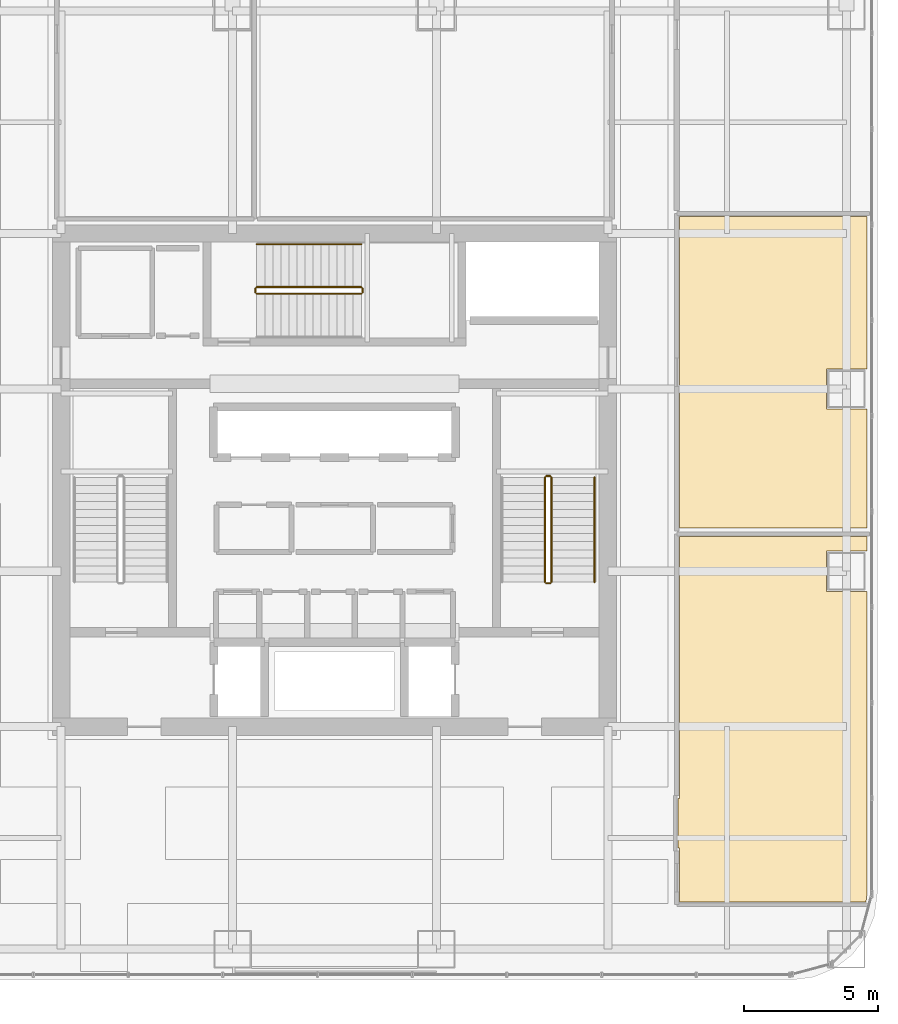
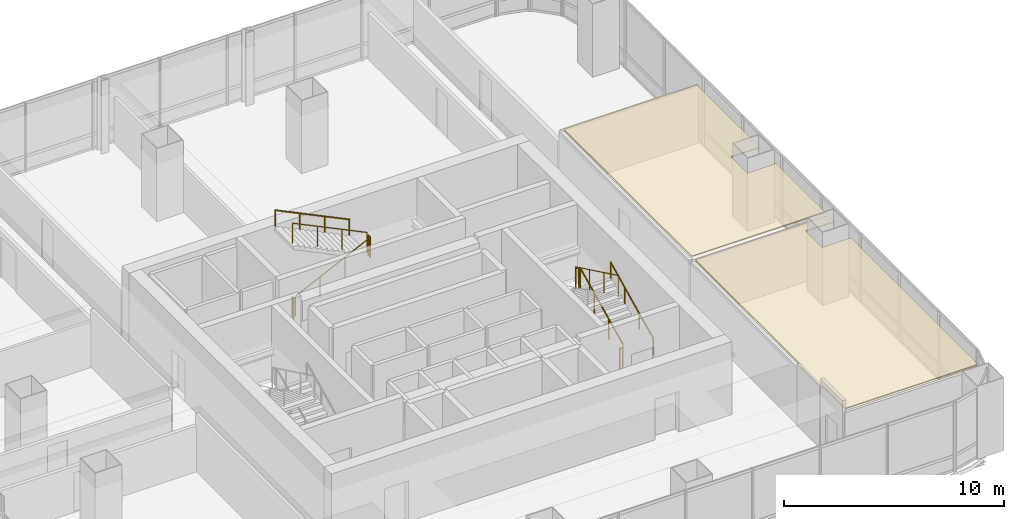
# One storey, part 37 of 38: 10 railings, 2 coverings.
"""IFC4 building model written with IfcOpenShell, lengths in metres."""

from ifc_helpers import new_model, si_unit, direction, frame, origin, origin_2d, place, context, subcontext, project, spatial, polyline, circle, outline, extrude, material, layer, layer_set, type_object, element, save


model = new_model("IFC4")

# Units and contexts
model_context = context("Model", 3, precision=1e-05, world=origin(), true_north=direction((0.0, 1.0)))
body_context = subcontext(model_context, "Body", "Model", "MODEL_VIEW")
ifc_project = project(units=[si_unit("LENGTHUNIT", "METRE"), si_unit("AREAUNIT", "SQUARE_METRE"), si_unit("VOLUMEUNIT", "CUBIC_METRE"), si_unit("PLANEANGLEUNIT", "RADIAN"), si_unit("MASSUNIT", "GRAM", prefix="KILO")], contexts=[model_context])

# Site, building, storey
site_placement = place(None, origin())
site = spatial("IfcSite", under=ifc_project, at=site_placement, CompositionType="ELEMENT")
building_placement = place(site_placement, origin())
building = spatial("IfcBuilding", under=site, at=building_placement, Name="Punatoya Terracotta Tower", CompositionType="ELEMENT")
storey_placement = place(building_placement, frame((0.0, 0.0, 147.89990234375)))
storey = spatial("IfcBuildingStorey", under=building, at=storey_placement, Name="L34", CompositionType="ELEMENT", Elevation=147.89990234375)

# Coverings
ifc_material_1 = material(Name="Acoustic Mineral Fibre Ceiling")
ifc_layer = layer(ifc_material_1, 0.06005859375)
ifc_layer_set = layer_set([ifc_layer], Name="Acoustic Mineral Fibre Ceiling")
covering_type = type_object("IfcCoveringType", Name="COV-CEIL-60", PredefinedType="CEILING", material=ifc_layer_set)
covering_1_placement = place(storey_placement, frame((0.0, 0.0, 3.22021484375)))
element("IfcCovering", 1, at=covering_1_placement, inside=storey, type_object=covering_type, Name="L34 Open-Plan Computational Simulation Laboratory Acoustic Ceiling", PredefinedType="CEILING", context=body_context, shape_type="SweptSolid", body=[
    extrude(outline(polyline([(12.81005859375, -13.72998046875), (12.8701171875, -13.72998046875), (12.8701171875, -15.739990234375), (19.82861328125, -15.739990234375), (19.8701171875, -15.425048828125), (19.8701171875, -4.14990234375), (18.35009765625, -4.14990234375), (18.35009765625, -2.64990234375), (19.8701171875, -2.64990234375), (19.8701171875, -2.113037109375), (12.8701171875, -2.113037109375), (12.8701171875, -11.8701171875), (12.81005859375, -11.8701171875), (12.81005859375, -13.72998046875)])), origin(), (0.0, 0.0, 1.0), 0.059814453125),
])
covering_2_placement = place(storey_placement, frame((0.0, 0.0, 3.22021484375)))
element("IfcCovering", 2, at=covering_2_placement, inside=storey, type_object=covering_type, Name="L34 Open-Plan Materials Testing Laboratory Acoustic Ceiling", PredefinedType="CEILING", context=body_context, shape_type="SweptSolid", body=[
    extrude(outline(polyline([(18.35009765625, 4.14990234375), (19.8701171875, 4.14990234375), (19.8701171875, 9.842041015625), (12.8701171875, 9.842041015625), (12.8701171875, -1.79296875), (19.8701171875, -1.79296875), (19.8701171875, 2.64990234375), (18.35009765625, 2.64990234375), (18.35009765625, 4.14990234375)])), origin(), (0.0, 0.0, 1.0), 0.059814453125),
])

# Railings
ifc_material_2 = material(Name="Steel S355", Category="steel")
railing_type_1 = type_object("IfcRailingType", Name="RLG-GRD-1150", PredefinedType="GUARDRAIL", material=ifc_material_2)
railing_1_placement = place(storey_placement, frame((8.10009765625, -3.800048828125, 0.144775390625)))
element("IfcRailing", 3, at=railing_1_placement, inside=storey, type_object=railing_type_1, Name="L34 ST-2 stair guard 1", PredefinedType="GUARDRAIL", context=body_context, shape_type="SweptSolid", body=[
    extrude(circle(Radius=0.02392578125, at=origin_2d()), frame((0.0, 0.0, 1.1259765625), z_axis=(0.0, 0.900773802044, 0.434288564841), x_axis=(-1.0, 0.0, 0.0)), (0.0, 0.0, 1.0), 4.329833984375),
    extrude(circle(Radius=0.02099609375, at=origin_2d()), origin(), (0.0, 0.0, 1.0), 1.101806640625),
    extrude(circle(Radius=0.02099609375, at=origin_2d()), frame((0.0, 1.300048828125, 0.626708984375)), (0.0, 0.0, 1.0), 1.101806640625),
    extrude(circle(Radius=0.02099609375, at=origin_2d()), frame((0.0, 2.60009765625, 1.253662109375)), (0.0, 0.0, 1.0), 1.101806640625),
    extrude(circle(Radius=0.02099609375, at=origin_2d()), frame((0.0, 3.900146484375, 1.88037109375)), (0.0, 0.0, 1.0), 1.101806640625),
])
railing_2_placement = place(storey_placement, frame((8.050048828125, 0.14990234375, 2.025146484375)))
element("IfcRailing", 4, at=railing_2_placement, inside=storey, type_object=railing_type_1, Name="L34 ST-2 stair guard 2", PredefinedType="GUARDRAIL", context=body_context, shape_type="SweptSolid", body=[
    extrude(circle(Radius=0.02392578125, at=origin_2d()), frame((0.0, 0.0, 1.1259765625), z_axis=(-1.0, 0.0, 0.0), x_axis=(0.0, -1.0, 0.0)), (0.0, 0.0, 1.0), 0.150146484375),
    extrude(circle(Radius=0.02099609375, at=origin_2d()), origin(), (0.0, 0.0, 1.0), 1.101806640625),
    extrude(circle(Radius=0.02099609375, at=origin_2d()), frame((-0.150146484375, 0.0, 0.0)), (0.0, 0.0, 1.0), 1.101806640625),
])
railing_3_placement = place(storey_placement, frame((7.85009765625, 0.10009765625, 2.169677734375)))
element("IfcRailing", 5, at=railing_3_placement, inside=storey, type_object=railing_type_1, Name="L34 ST-2 stair guard 3", PredefinedType="GUARDRAIL", context=body_context, shape_type="SweptSolid", body=[
    extrude(circle(Radius=0.02392578125, at=origin_2d()), frame((0.0, 0.0, 1.1259765625), z_axis=(0.0, -0.900773802044, 0.434288564841), x_axis=(1.0, 0.0, 0.0)), (0.0, 0.0, 1.0), 4.329833984375),
    extrude(circle(Radius=0.02099609375, at=origin_2d()), origin(), (0.0, 0.0, 1.0), 1.101806640625),
    extrude(circle(Radius=0.02099609375, at=origin_2d()), frame((0.0, -1.300048828125, 0.626708984375)), (0.0, 0.0, 1.0), 1.101806640625),
    extrude(circle(Radius=0.02099609375, at=origin_2d()), frame((0.0, -2.60009765625, 1.253662109375)), (0.0, 0.0, 1.0), 1.101806640625),
    extrude(circle(Radius=0.02099609375, at=origin_2d()), frame((0.0, -3.900146484375, 1.88037109375)), (0.0, 0.0, 1.0), 1.101806640625),
])
railing_4_placement = place(storey_placement, frame((8.050048828125, -3.85009765625, 0.0)))
element("IfcRailing", 6, at=railing_4_placement, inside=storey, type_object=railing_type_1, Name="L34 ST-2 stair guard 4", PredefinedType="GUARDRAIL", context=body_context, shape_type="SweptSolid", body=[
    extrude(circle(Radius=0.02392578125, at=origin_2d()), frame((0.0, 0.0, 1.1259765625), z_axis=(-1.0, 0.0, 0.0), x_axis=(0.0, -1.0, 0.0)), (0.0, 0.0, 1.0), 0.150146484375),
    extrude(circle(Radius=0.02099609375, at=origin_2d()), origin(), (0.0, 0.0, 1.0), 1.101806640625),
    extrude(circle(Radius=0.02099609375, at=origin_2d()), frame((-0.150146484375, 0.0, 0.0)), (0.0, 0.0, 1.0), 1.101806640625),
])
railing_5_placement = place(storey_placement, frame((-2.89990234375, 6.949951171875, 0.144775390625)))
element("IfcRailing", 7, at=railing_5_placement, inside=storey, type_object=railing_type_1, Name="L34 ST-3 stair guard 1", PredefinedType="GUARDRAIL", context=body_context, shape_type="SweptSolid", body=[
    extrude(circle(Radius=0.02392578125, at=origin_2d()), frame((0.0, 0.0, 1.1259765625), z_axis=(0.900763166376, 0.0, 0.434310623978), x_axis=(0.0, 1.0, 0.0)), (0.0, 0.0, 1.0), 4.32958984375),
    extrude(circle(Radius=0.02099609375, at=origin_2d()), origin(), (0.0, 0.0, 1.0), 1.101806640625),
    extrude(circle(Radius=0.02099609375, at=origin_2d()), frame((1.300048828125, 0.0, 0.626708984375)), (0.0, 0.0, 1.0), 1.101806640625),
    extrude(circle(Radius=0.02099609375, at=origin_2d()), frame((2.599853515625, 0.0, 1.253662109375)), (0.0, 0.0, 1.0), 1.101806640625),
    extrude(circle(Radius=0.02099609375, at=origin_2d()), frame((3.89990234375, 0.0, 1.88037109375)), (0.0, 0.0, 1.0), 1.101806640625),
])
railing_6_placement = place(storey_placement, frame((1.050048828125, 7.0, 2.025146484375)))
element("IfcRailing", 8, at=railing_6_placement, inside=storey, type_object=railing_type_1, Name="L34 ST-3 stair guard 2", PredefinedType="GUARDRAIL", context=body_context, shape_type="SweptSolid", body=[
    extrude(circle(Radius=0.02392578125, at=origin_2d()), frame((0.0, 0.0, 1.1259765625), z_axis=(0.0, 1.0, 0.0), x_axis=(-1.0, 0.0, 0.0)), (0.0, 0.0, 1.0), 0.14990234375),
    extrude(circle(Radius=0.02099609375, at=origin_2d()), origin(), (0.0, 0.0, 1.0), 1.101806640625),
    extrude(circle(Radius=0.02099609375, at=origin_2d()), frame((0.0, 0.14990234375, 0.0)), (0.0, 0.0, 1.0), 1.101806640625),
])
railing_7_placement = place(storey_placement, frame((1.0, 7.199951171875, 2.169677734375)))
element("IfcRailing", 9, at=railing_7_placement, inside=storey, type_object=railing_type_1, Name="L34 ST-3 stair guard 3", PredefinedType="GUARDRAIL", context=body_context, shape_type="SweptSolid", body=[
    extrude(circle(Radius=0.02392578125, at=origin_2d()), frame((0.0, 0.0, 1.1259765625), z_axis=(-0.900763166376, 0.0, 0.434310623978), x_axis=(0.0, -1.0, 0.0)), (0.0, 0.0, 1.0), 4.32958984375),
    extrude(circle(Radius=0.02099609375, at=origin_2d()), origin(), (0.0, 0.0, 1.0), 1.101806640625),
    extrude(circle(Radius=0.02099609375, at=origin_2d()), frame((-1.300048828125, 0.0, 0.626708984375)), (0.0, 0.0, 1.0), 1.101806640625),
    extrude(circle(Radius=0.02099609375, at=origin_2d()), frame((-2.599853515625, 0.0, 1.253662109375)), (0.0, 0.0, 1.0), 1.101806640625),
    extrude(circle(Radius=0.02099609375, at=origin_2d()), frame((-3.89990234375, 0.0, 1.88037109375)), (0.0, 0.0, 1.0), 1.101806640625),
])
railing_8_placement = place(storey_placement, frame((-2.949951171875, 7.0, 0.0)))
element("IfcRailing", 10, at=railing_8_placement, inside=storey, type_object=railing_type_1, Name="L34 ST-3 stair guard 4", PredefinedType="GUARDRAIL", context=body_context, shape_type="SweptSolid", body=[
    extrude(circle(Radius=0.02392578125, at=origin_2d()), frame((0.0, 0.0, 1.1259765625), z_axis=(0.0, 1.0, 0.0), x_axis=(-1.0, 0.0, 0.0)), (0.0, 0.0, 1.0), 0.14990234375),
    extrude(circle(Radius=0.02099609375, at=origin_2d()), origin(), (0.0, 0.0, 1.0), 1.101806640625),
    extrude(circle(Radius=0.02099609375, at=origin_2d()), frame((0.0, 0.14990234375, 0.0)), (0.0, 0.0, 1.0), 1.101806640625),
])
railing_type_2 = type_object("IfcRailingType", Name="RLG-HND-900", PredefinedType="HANDRAIL", material=ifc_material_2)
railing_9_placement = place(storey_placement, frame((9.699951171875, -3.800048828125, 0.144775390625)))
element("IfcRailing", 11, at=railing_9_placement, inside=storey, type_object=railing_type_2, Name="L34 ST-2 stair handrail 1", PredefinedType="HANDRAIL", context=body_context, shape_type="SweptSolid", body=[
    extrude(circle(Radius=0.02392578125, at=origin_2d()), frame((0.0, 0.0, 0.8759765625), z_axis=(0.0, 0.900773802044, 0.434288564841), x_axis=(-1.0, 0.0, 0.0)), (0.0, 0.0, 1.0), 4.329833984375),
    extrude(circle(Radius=0.02099609375, at=origin_2d()), origin(), (0.0, 0.0, 1.0), 0.851806640625),
    extrude(circle(Radius=0.02099609375, at=origin_2d()), frame((0.0, 1.300048828125, 0.626708984375)), (0.0, 0.0, 1.0), 0.851806640625),
    extrude(circle(Radius=0.02099609375, at=origin_2d()), frame((0.0, 2.60009765625, 1.253662109375)), (0.0, 0.0, 1.0), 0.851806640625),
    extrude(circle(Radius=0.02099609375, at=origin_2d()), frame((0.0, 3.900146484375, 1.88037109375)), (0.0, 0.0, 1.0), 0.851806640625),
])
railing_10_placement = place(storey_placement, frame((1.0, 8.800048828125, 2.169677734375)))
element("IfcRailing", 12, at=railing_10_placement, inside=storey, type_object=railing_type_2, Name="L34 ST-3 stair handrail 2", PredefinedType="HANDRAIL", context=body_context, shape_type="SweptSolid", body=[
    extrude(circle(Radius=0.02392578125, at=origin_2d()), frame((0.0, 0.0, 0.8759765625), z_axis=(-0.900763166376, 0.0, 0.434310623978), x_axis=(0.0, -1.0, 0.0)), (0.0, 0.0, 1.0), 4.32958984375),
    extrude(circle(Radius=0.02099609375, at=origin_2d()), origin(), (0.0, 0.0, 1.0), 0.851806640625),
    extrude(circle(Radius=0.02099609375, at=origin_2d()), frame((-1.300048828125, 0.0, 0.626708984375)), (0.0, 0.0, 1.0), 0.851806640625),
    extrude(circle(Radius=0.02099609375, at=origin_2d()), frame((-2.599853515625, 0.0, 1.253662109375)), (0.0, 0.0, 1.0), 0.851806640625),
    extrude(circle(Radius=0.02099609375, at=origin_2d()), frame((-3.89990234375, 0.0, 1.88037109375)), (0.0, 0.0, 1.0), 0.851806640625),
])

save(model, "model.ifc")
